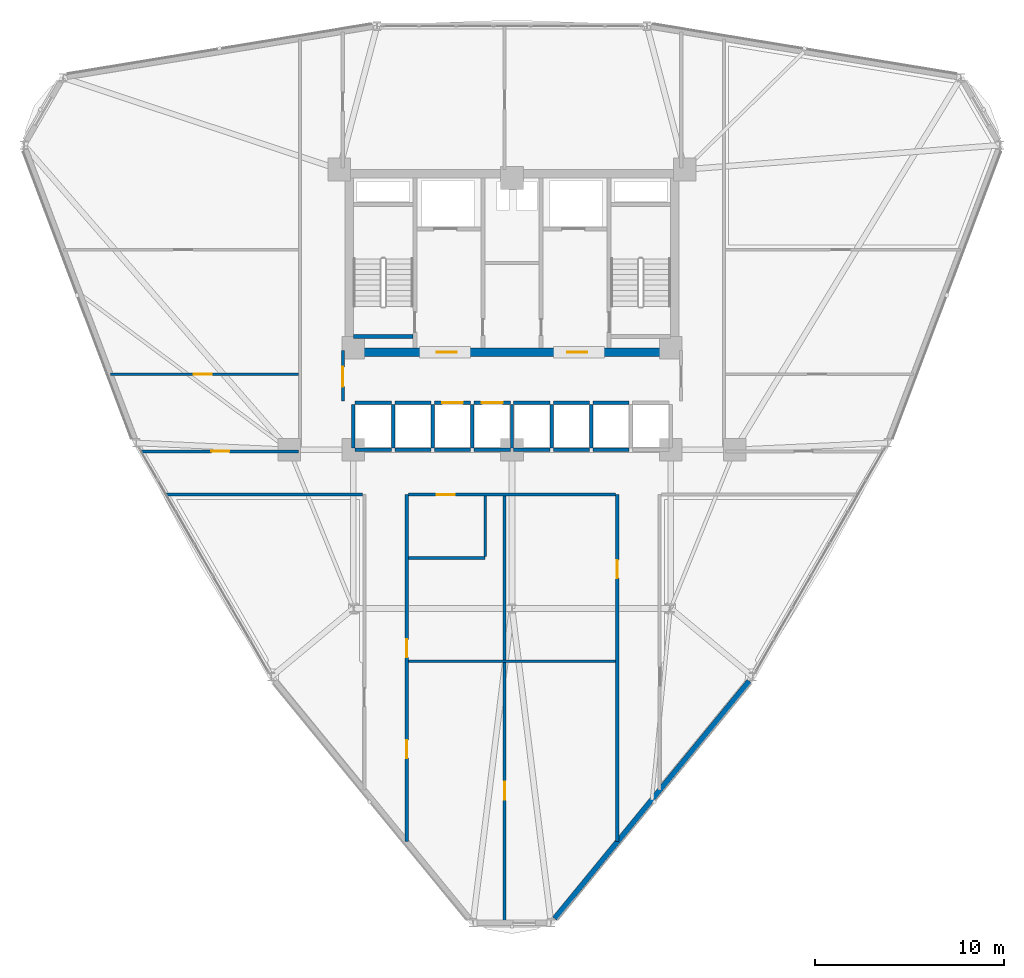
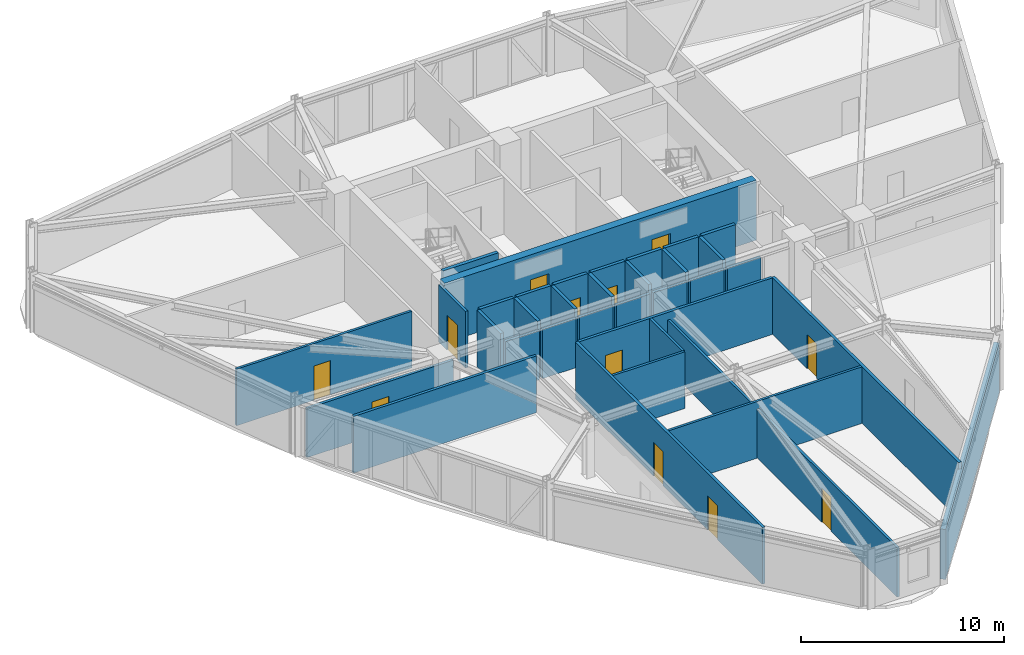
# One storey, part 12 of 17: 35 walls, 12 doors, 12 openings.
"""IFC4 building model written with IfcOpenShell, lengths in metres."""

from ifc_helpers import new_model, si_unit, derived_unit, direction, frame, frame_2d, origin, place, context, subcontext, project, spatial, rectangle, extrude, material, layer, layer_set, type_object, element, fill, save


model = new_model("IFC4")

# Units and contexts
model_context = context("Model", 3, precision=1e-05, world=origin(), true_north=direction((0.0, 1.0)))
body_context = subcontext(model_context, "Body", "Model", "MODEL_VIEW")
ifc_project = project(units=[si_unit("LENGTHUNIT", "METRE"), si_unit("AREAUNIT", "SQUARE_METRE"), si_unit("VOLUMEUNIT", "CUBIC_METRE"), si_unit("PLANEANGLEUNIT", "RADIAN"), si_unit("MASSUNIT", "GRAM", prefix="KILO"), derived_unit("THERMALTRANSMITTANCEUNIT", [(si_unit("POWERUNIT", "WATT"), 1), (si_unit("LENGTHUNIT", "METRE"), -2), (si_unit("THERMODYNAMICTEMPERATUREUNIT", "KELVIN"), -1)])], contexts=[model_context])

# Site, building, storey
site_placement = place(None, origin())
site = spatial("IfcSite", under=ifc_project, at=site_placement, CompositionType="ELEMENT")
building_placement = place(site_placement, origin())
building = spatial("IfcBuilding", under=site, at=building_placement, Name="Korsvarv Bourse and Concert Hall", CompositionType="ELEMENT")
storey_placement = place(building_placement, frame((0.0, 0.0, 102.60009765625)))
storey = spatial("IfcBuildingStorey", under=building, at=storey_placement, Name="L25", CompositionType="ELEMENT", Elevation=102.60009765625)

# Wall
ifc_material_1 = material(Name="Concrete C50/60", Category="concrete")
ifc_layer_1 = layer(ifc_material_1, 0.3798828125)
ifc_layer_set_1 = layer_set([ifc_layer_1], Name="Concrete C50/60")
wall_type_1 = type_object("IfcWallType", Name="WL-CORE-380", PredefinedType="SHEAR", material=ifc_layer_set_1)
wall_1_placement = place(storey_placement, frame((27.610107421875, 38.39990234375, 0.0), z_axis=(0.0, 0.0, 1.0), x_axis=(1.0, 0.0, 0.0)))
element("IfcWall", 1, at=wall_1_placement, inside=storey, type_object=wall_type_1, Name="L25 stair shaft structural wall W-L25-ST1-S", PredefinedType="SHEAR", context=body_context, shape_type="SweptSolid", body=[
    extrude(rectangle(XDim=3.139892578125, YDim=0.199951171875, at=frame_2d((1.56982421875, 0.0))), origin(), (0.0, 0.0, 1.0), 3.599853515625),
])

# Wall, openings, doors
ifc_material_2 = material(Name="Concrete C55/67", Category="concrete")
ifc_layer_2 = layer(ifc_material_2, 0.449951171875)
ifc_layer_set_2 = layer_set([ifc_layer_2], Name="Concrete C55/67")
wall_type_2 = type_object("IfcWallType", Name="WL-CORE-450", PredefinedType="SHEAR", material=ifc_layer_set_2)
wall_2_placement = place(storey_placement, frame((27.14990234375, 37.574951171875, 0.0), z_axis=(0.0, 0.0, 1.0), x_axis=(1.0, 0.0, 0.0)))
wall_2 = element("IfcWall", 2, at=wall_2_placement, inside=storey, type_object=wall_type_2, Name="L25 South Core Shear Wall", PredefinedType="SHEAR", context=body_context, shape_type="SweptSolid", body=[
    extrude(rectangle(XDim=17.7001953125, YDim=0.449951171875, at=frame_2d((8.85009765625, 0.0))), origin(), (0.0, 0.0, 1.0), 3.599853515625),
])
opening_1_placement = place(wall_2_placement, frame((4.875, 0.0, 0.0)))
opening_1 = element("IfcOpeningElement", 3, at=opening_1_placement, cuts=wall_2, Name="Opening D-01", PredefinedType="OPENING", context=body_context, shape_type="SweptSolid", body=[
    extrude(rectangle(XDim=1.050048828125, YDim=2.10009765625, at=frame_2d((0.52490234375, 1.050048828125))), frame((0.0, 0.23486328125, 0.0), z_axis=(0.0, -1.0, 0.0), x_axis=(1.0, 0.0, 0.0)), (0.0, 0.0, 1.0), 0.469970703125),
])
opening_2_placement = place(wall_2_placement, frame((11.77490234375, 0.0, 0.0)))
opening_2 = element("IfcOpeningElement", 4, at=opening_2_placement, cuts=wall_2, Name="Opening D-01", PredefinedType="OPENING", context=body_context, shape_type="SweptSolid", body=[
    extrude(rectangle(XDim=1.050048828125, YDim=2.10009765625, at=frame_2d((0.52490234375, 1.050048828125))), frame((0.0, 0.23486328125, 0.0), z_axis=(0.0, -1.0, 0.0), x_axis=(1.0, 0.0, 0.0)), (0.0, 0.0, 1.0), 0.469970703125),
])
ifc_material_3 = material(Name="Steel S355 fire door", Category="steel")
door_type_1 = type_object("IfcDoorType", Name="DR-FD60", OperationType="NOTDEFINED", PredefinedType="DOOR", material=ifc_material_3)
door_1_placement = place(opening_1_placement, frame((1.050048828125, 0.0, 0.0), z_axis=(0.0, 0.0, 1.0), x_axis=(-1.0, 0.0, 0.0)))
door_1 = element("IfcDoor", 5, at=door_1_placement, inside=storey, type_object=door_type_1, Name="L25 firefighting lobby fire door DR-L25-FFLW", OperationType="SINGLE_SWING_LEFT", OverallHeight=2.10009765625, OverallWidth=1.050048828125, PredefinedType="DOOR", context=body_context, shape_type="SweptSolid", body=[
    extrude(rectangle(XDim=1.050048828125, YDim=2.10009765625, at=frame_2d((0.52490234375, 1.050048828125))), frame((0.0, 0.02490234375, 0.0), z_axis=(0.0, -1.0, 0.0), x_axis=(1.0, 0.0, 0.0)), (0.0, 0.0, 1.0), 0.050048828125),
])
fill(opening_1, door_1)
door_2_placement = place(opening_2_placement, frame((1.050048828125, 0.0, 0.0), z_axis=(0.0, 0.0, 1.0), x_axis=(-1.0, 0.0, 0.0)))
door_2 = element("IfcDoor", 6, at=door_2_placement, inside=storey, type_object=door_type_1, Name="L25 firefighting lobby fire door DR-L25-FFLE", OperationType="SINGLE_SWING_RIGHT", OverallHeight=2.10009765625, OverallWidth=1.050048828125, PredefinedType="DOOR", context=body_context, shape_type="SweptSolid", body=[
    extrude(rectangle(XDim=1.050048828125, YDim=2.10009765625, at=frame_2d((0.52490234375, 1.050048828125))), frame((0.0, 0.02490234375, 0.0), z_axis=(0.0, -1.0, 0.0), x_axis=(1.0, 0.0, 0.0)), (0.0, 0.0, 1.0), 0.050048828125),
])
fill(opening_2, door_2)

# Wall
ifc_material_4 = material(Name="Precast concrete C45/55 with fluted terracotta pier", Category="concrete")
ifc_layer_3 = layer(ifc_material_4, 0.280029296875)
ifc_layer_set_3 = layer_set([ifc_layer_3], Name="Precast concrete C45/55 with fluted terracotta pier")
wall_type_3 = type_object("IfcWallType", Name="WL-EXT-TC2", PredefinedType="SOLIDWALL", material=ifc_layer_set_3)
wall_3_placement = place(storey_placement, frame((38.2587890625, 7.576416015625, 0.0), z_axis=(0.0, 0.0, 1.0), x_axis=(0.633768446385, 0.773522822137, 0.0)))
element("IfcWall", 7, at=wall_3_placement, inside=storey, type_object=wall_type_3, Name="L25 terracotta exterior wall EW-L25-B10", PredefinedType="SOLIDWALL", context=body_context, shape_type="SweptSolid", body=[
    extrude(rectangle(XDim=16.255126953125, YDim=0.280029296875, at=frame_2d((8.12744140625, 0.0))), origin(), (0.0, 0.0, 1.0), 3.0),
])

# Wall, opening, door
ifc_material_5 = material(Name="Double-stud fire-rated acoustic partition", Category="gypsum")
ifc_layer_4 = layer(ifc_material_5, 0.159912109375)
ifc_layer_set_4 = layer_set([ifc_layer_4], Name="Double-stud fire-rated acoustic partition")
wall_type_4 = type_object("IfcWallType", Name="WL-INT-EI60", PredefinedType="PARTITIONING", material=ifc_layer_set_4)
wall_4_placement = place(storey_placement, frame((27.0400390625, 35.0, 0.0), z_axis=(0.0, 0.0, 1.0), x_axis=(0.0, 1.0, 0.0)))
wall_4 = element("IfcWall", 8, at=wall_4_placement, inside=storey, type_object=wall_type_4, Name="L25 interior partition wall W-L25-LOB-W", PredefinedType="PARTITIONING", context=body_context, shape_type="SweptSolid", body=[
    extrude(rectangle(XDim=2.64990234375, YDim=0.159912109375, at=frame_2d((1.324951171875, 0.0))), origin(), (0.0, 0.0, 1.0), 3.39990234375),
])
opening_3_placement = place(wall_4_placement, frame((0.75, 0.0, 0.0)))
opening_3 = element("IfcOpeningElement", 9, at=opening_3_placement, cuts=wall_4, Name="Opening D-01", PredefinedType="OPENING", context=body_context, shape_type="SweptSolid", body=[
    extrude(rectangle(XDim=1.050048828125, YDim=2.10009765625, at=frame_2d((0.52490234375, 1.050048828125))), frame((0.0, 0.08984375, 0.0), z_axis=(0.0, -1.0, 0.0), x_axis=(1.0, 0.0, 0.0)), (0.0, 0.0, 1.0), 0.179931640625),
])
door_3_placement = place(opening_3_placement, frame((1.050048828125, 0.0, 0.0), z_axis=(0.0, 0.0, 1.0), x_axis=(-1.0, 0.0, 0.0)))
door_3 = element("IfcDoor", 10, at=door_3_placement, inside=storey, type_object=door_type_1, Name="L25 interior door DR-L25-LOBW", OperationType="SINGLE_SWING_RIGHT", OverallHeight=2.10009765625, OverallWidth=1.050048828125, PredefinedType="DOOR", context=body_context, shape_type="SweptSolid", body=[
    extrude(rectangle(XDim=1.050048828125, YDim=2.10009765625, at=frame_2d((0.52490234375, 1.050048828125))), frame((0.0, 0.02490234375, 0.0), z_axis=(0.0, -1.0, 0.0), x_axis=(1.0, 0.0, 0.0)), (0.0, 0.0, 1.0), 0.050048828125),
])
fill(opening_3, door_3)

# Wall, openings, doors
wall_5_placement = place(storey_placement, frame((30.425048828125, 11.643798828125, 0.0), z_axis=(0.0, 0.0, 1.0), x_axis=(0.0, 1.0, 0.0)))
wall_5 = element("IfcWall", 11, at=wall_5_placement, inside=storey, type_object=wall_type_4, Name="L25 interior partition wall W-L25-TCOR-03", PredefinedType="PARTITIONING", context=body_context, shape_type="SweptSolid", body=[
    extrude(rectangle(XDim=18.38623046875, YDim=0.159912109375, at=frame_2d((9.193115234375, 0.0))), origin(), (0.0, 0.0, 1.0), 3.39990234375),
])
opening_4_placement = place(wall_5_placement, frame((4.43017578125, 0.0, 0.0)))
opening_4 = element("IfcOpeningElement", 12, at=opening_4_placement, cuts=wall_5, Name="Opening D-02", PredefinedType="OPENING", context=body_context, shape_type="SweptSolid", body=[
    extrude(rectangle(XDim=0.949951171875, YDim=2.050048828125, at=frame_2d((0.47509765625, 1.02490234375))), frame((0.0, 0.08984375, 0.0), z_axis=(0.0, -1.0, 0.0), x_axis=(1.0, 0.0, 0.0)), (0.0, 0.0, 1.0), 0.179931640625),
])
opening_5_placement = place(wall_5_placement, frame((9.76611328125, 0.0, 0.0)))
opening_5 = element("IfcOpeningElement", 13, at=opening_5_placement, cuts=wall_5, Name="Opening D-02", PredefinedType="OPENING", context=body_context, shape_type="SweptSolid", body=[
    extrude(rectangle(XDim=0.949951171875, YDim=2.050048828125, at=frame_2d((0.47509765625, 1.02490234375))), frame((0.0, 0.08984375, 0.0), z_axis=(0.0, -1.0, 0.0), x_axis=(1.0, 0.0, 0.0)), (0.0, 0.0, 1.0), 0.179931640625),
])
ifc_material_6 = material(Name="Timber and steel acoustic fire door", Category="wood")
door_type_2 = type_object("IfcDoorType", Name="DR-FD30", OperationType="NOTDEFINED", PredefinedType="DOOR", material=ifc_material_6)
door_4_placement = place(opening_4_placement, origin())
door_4 = element("IfcDoor", 14, at=door_4_placement, inside=storey, type_object=door_type_2, Name="L25 interior door DR-L25-TCOR-CC57", OperationType="SINGLE_SWING_RIGHT", OverallHeight=2.050048828125, OverallWidth=0.949951171875, PredefinedType="DOOR", context=body_context, shape_type="SweptSolid", body=[
    extrude(rectangle(XDim=0.949951171875, YDim=2.050048828125, at=frame_2d((0.47509765625, 1.02490234375))), frame((0.0, 0.02490234375, 0.0), z_axis=(0.0, -1.0, 0.0), x_axis=(1.0, 0.0, 0.0)), (0.0, 0.0, 1.0), 0.050048828125),
])
fill(opening_4, door_4)
door_5_placement = place(opening_5_placement, origin())
door_5 = element("IfcDoor", 15, at=door_5_placement, inside=storey, type_object=door_type_2, Name="L25 interior door DR-L25-TCOR-CC29", OperationType="SINGLE_SWING_LEFT", OverallHeight=2.050048828125, OverallWidth=0.949951171875, PredefinedType="DOOR", context=body_context, shape_type="SweptSolid", body=[
    extrude(rectangle(XDim=0.949951171875, YDim=2.050048828125, at=frame_2d((0.47509765625, 1.02490234375))), frame((0.0, 0.02490234375, 0.0), z_axis=(0.0, -1.0, 0.0), x_axis=(1.0, 0.0, 0.0)), (0.0, 0.0, 1.0), 0.050048828125),
])
fill(opening_5, door_5)

# Wall, opening, door
wall_6_placement = place(storey_placement, frame((41.574951171875, 11.643798828125, 0.0), z_axis=(0.0, 0.0, 1.0), x_axis=(0.0, 1.0, 0.0)))
wall_6 = element("IfcWall", 16, at=wall_6_placement, inside=storey, type_object=wall_type_4, Name="L25 interior partition wall W-L25-TCOR-04", PredefinedType="PARTITIONING", context=body_context, shape_type="SweptSolid", body=[
    extrude(rectangle(XDim=18.38623046875, YDim=0.159912109375, at=frame_2d((9.193115234375, 0.0))), origin(), (0.0, 0.0, 1.0), 3.39990234375),
])
opening_6_placement = place(wall_6_placement, frame((13.96630859375, 0.0, 0.0)))
opening_6 = element("IfcOpeningElement", 17, at=opening_6_placement, cuts=wall_6, Name="Opening D-02", PredefinedType="OPENING", context=body_context, shape_type="SweptSolid", body=[
    extrude(rectangle(XDim=0.949951171875, YDim=2.050048828125, at=frame_2d((0.47509765625, 1.02490234375))), frame((0.0, 0.08984375, 0.0), z_axis=(0.0, -1.0, 0.0), x_axis=(1.0, 0.0, 0.0)), (0.0, 0.0, 1.0), 0.179931640625),
])
door_6_placement = place(opening_6_placement, origin())
door_6 = element("IfcDoor", 18, at=door_6_placement, inside=storey, type_object=door_type_2, Name="L25 interior door DR-L25-TCOR-CC310", OperationType="SINGLE_SWING_RIGHT", OverallHeight=2.050048828125, OverallWidth=0.949951171875, PredefinedType="DOOR", context=body_context, shape_type="SweptSolid", body=[
    extrude(rectangle(XDim=0.949951171875, YDim=2.050048828125, at=frame_2d((0.47509765625, 1.02490234375))), frame((0.0, 0.02490234375, 0.0), z_axis=(0.0, -1.0, 0.0), x_axis=(1.0, 0.0, 0.0)), (0.0, 0.0, 1.0), 0.050048828125),
])
fill(opening_6, door_6)

wall_7_placement = place(storey_placement, frame((30.507080078125, 30.02490234375, 0.0), z_axis=(0.0, 0.0, 1.0), x_axis=(1.0, 0.0, 0.0)))
wall_7 = element("IfcWall", 19, at=wall_7_placement, inside=storey, type_object=wall_type_4, Name="L25 interior partition wall W-L25-TCOR-07", PredefinedType="PARTITIONING", context=body_context, shape_type="SweptSolid", body=[
    extrude(rectangle(XDim=10.98583984375, YDim=0.159912109375, at=frame_2d((5.492919921875, 0.0))), origin(), (0.0, 0.0, 1.0), 3.39990234375),
])
opening_7_placement = place(wall_7_placement, frame((1.51220703125, 0.0, 0.0)))
opening_7 = element("IfcOpeningElement", 20, at=opening_7_placement, cuts=wall_7, Name="Opening D-02", PredefinedType="OPENING", context=body_context, shape_type="SweptSolid", body=[
    extrude(rectangle(XDim=0.949951171875, YDim=2.050048828125, at=frame_2d((0.47509765625, 1.02490234375))), frame((0.0, 0.08984375, 0.0), z_axis=(0.0, -1.0, 0.0), x_axis=(1.0, 0.0, 0.0)), (0.0, 0.0, 1.0), 0.179931640625),
])
door_7_placement = place(opening_7_placement, origin())
door_7 = element("IfcDoor", 21, at=door_7_placement, inside=storey, type_object=door_type_2, Name="L25 interior door DR-L25-TCOR-RWC", OperationType="SINGLE_SWING_LEFT", OverallHeight=2.050048828125, OverallWidth=0.949951171875, PredefinedType="DOOR", context=body_context, shape_type="SweptSolid", body=[
    extrude(rectangle(XDim=0.949951171875, YDim=2.050048828125, at=frame_2d((0.47509765625, 1.02490234375))), frame((0.0, 0.02490234375, 0.0), z_axis=(0.0, -1.0, 0.0), x_axis=(1.0, 0.0, 0.0)), (0.0, 0.0, 1.0), 0.050048828125),
])
fill(opening_7, door_7)

# Wall
wall_8_placement = place(storey_placement, frame((17.701904296875, 30.02490234375, 0.0), z_axis=(0.0, 0.0, 1.0), x_axis=(1.0, 0.0, 0.0)))
element("IfcWall", 22, at=wall_8_placement, inside=storey, type_object=wall_type_4, Name="L25 interior partition wall W-L25-TCOR-08", PredefinedType="PARTITIONING", context=body_context, shape_type="SweptSolid", body=[
    extrude(rectangle(XDim=10.39111328125, YDim=0.159912109375, at=frame_2d((5.195556640625, 0.0))), origin(), (0.0, 0.0, 1.0), 3.39990234375),
])

# Wall, opening, door
wall_9_placement = place(storey_placement, frame((16.379638671875, 32.31494140625, 0.0), z_axis=(0.0, 0.0, 1.0), x_axis=(1.0, 0.0, 0.0)))
wall_9 = element("IfcWall", 23, at=wall_9_placement, inside=storey, type_object=wall_type_4, Name="L25 interior partition wall W-L25-TCOR-10", PredefinedType="PARTITIONING", context=body_context, shape_type="SweptSolid", body=[
    extrude(rectangle(XDim=8.3134765625, YDim=0.159912109375, at=frame_2d((4.15673828125, 0.0))), origin(), (0.0, 0.0, 1.0), 2.949951171875),
])
opening_8_placement = place(wall_9_placement, frame((3.69580078125, 0.0, 0.0)))
opening_8 = element("IfcOpeningElement", 24, at=opening_8_placement, cuts=wall_9, Name="Opening D-02", PredefinedType="OPENING", context=body_context, shape_type="SweptSolid", body=[
    extrude(rectangle(XDim=0.949951171875, YDim=2.050048828125, at=frame_2d((0.47509765625, 1.02490234375))), frame((0.0, 0.08984375, 0.0), z_axis=(0.0, -1.0, 0.0), x_axis=(1.0, 0.0, 0.0)), (0.0, 0.0, 1.0), 0.179931640625),
])
door_8_placement = place(opening_8_placement, origin())
door_8 = element("IfcDoor", 25, at=door_8_placement, inside=storey, type_object=door_type_2, Name="L25 interior door DR-L25-TCOR-CC612", OperationType="SINGLE_SWING_RIGHT", OverallHeight=2.050048828125, OverallWidth=0.949951171875, PredefinedType="DOOR", context=body_context, shape_type="SweptSolid", body=[
    extrude(rectangle(XDim=0.949951171875, YDim=2.050048828125, at=frame_2d((0.47509765625, 1.02490234375))), frame((0.0, 0.02490234375, 0.0), z_axis=(0.0, -1.0, 0.0), x_axis=(1.0, 0.0, 0.0)), (0.0, 0.0, 1.0), 0.050048828125),
])
fill(opening_8, door_8)

# Walls
ifc_material_7 = material(Name="Gypsum-clad autoclaved concrete shaft wall C30/37", Category="concrete")
ifc_layer_5 = layer(ifc_material_7, 0.179931640625)
ifc_layer_set_5 = layer_set([ifc_layer_5], Name="Gypsum-clad autoclaved concrete shaft wall C30/37")
wall_type_5 = type_object("IfcWallType", Name="WL-INT-EI90", PredefinedType="PARTITIONING", material=ifc_layer_set_5)
wall_10_placement = place(storey_placement, frame((27.68994140625, 34.89990234375, 0.0), z_axis=(0.0, 0.0, 1.0), x_axis=(1.0, 0.0, 0.0)))
element("IfcWall", 26, at=wall_10_placement, inside=storey, type_object=wall_type_5, Name="L25 interior partition wall W-L25-SHFN-PL1", PredefinedType="PARTITIONING", context=body_context, shape_type="SweptSolid", body=[
    extrude(rectangle(XDim=1.920166015625, YDim=0.179931640625, at=frame_2d((0.9599609375, 0.0))), origin(), (0.0, 0.0, 1.0), 3.39990234375),
])
wall_11_placement = place(storey_placement, frame((27.68994140625, 32.39990234375, 0.0), z_axis=(0.0, 0.0, 1.0), x_axis=(1.0, 0.0, 0.0)))
element("IfcWall", 27, at=wall_11_placement, inside=storey, type_object=wall_type_5, Name="L25 interior partition wall W-L25-SHFS-PL1", PredefinedType="PARTITIONING", context=body_context, shape_type="SweptSolid", body=[
    extrude(rectangle(XDim=1.920166015625, YDim=0.179931640625, at=frame_2d((0.9599609375, 0.0))), origin(), (0.0, 0.0, 1.0), 2.949951171875),
])
wall_12_placement = place(storey_placement, frame((27.60009765625, 32.489990234375, 0.0), z_axis=(0.0, 0.0, 1.0), x_axis=(0.0, 1.0, 0.0)))
element("IfcWall", 28, at=wall_12_placement, inside=storey, type_object=wall_type_5, Name="L25 interior partition wall W-L25-SHFW-PL1", PredefinedType="PARTITIONING", context=body_context, shape_type="SweptSolid", body=[
    extrude(rectangle(XDim=2.320068359375, YDim=0.179931640625, at=frame_2d((1.16015625, 0.0))), origin(), (0.0, 0.0, 1.0), 3.39990234375),
])
wall_13_placement = place(storey_placement, frame((29.7900390625, 34.89990234375, 0.0), z_axis=(0.0, 0.0, 1.0), x_axis=(1.0, 0.0, 0.0)))
element("IfcWall", 29, at=wall_13_placement, inside=storey, type_object=wall_type_5, Name="L25 interior partition wall W-L25-SHFN-PL2", PredefinedType="PARTITIONING", context=body_context, shape_type="SweptSolid", body=[
    extrude(rectangle(XDim=1.919921875, YDim=0.179931640625, at=frame_2d((0.9599609375, 0.0))), origin(), (0.0, 0.0, 1.0), 3.39990234375),
])
wall_14_placement = place(storey_placement, frame((29.7900390625, 32.39990234375, 0.0), z_axis=(0.0, 0.0, 1.0), x_axis=(1.0, 0.0, 0.0)))
element("IfcWall", 30, at=wall_14_placement, inside=storey, type_object=wall_type_5, Name="L25 interior partition wall W-L25-SHFS-PL2", PredefinedType="PARTITIONING", context=body_context, shape_type="SweptSolid", body=[
    extrude(rectangle(XDim=1.919921875, YDim=0.179931640625, at=frame_2d((0.9599609375, 0.0))), origin(), (0.0, 0.0, 1.0), 2.949951171875),
])
wall_15_placement = place(storey_placement, frame((29.699951171875, 32.489990234375, 0.0), z_axis=(0.0, 0.0, 1.0), x_axis=(0.0, 1.0, 0.0)))
element("IfcWall", 31, at=wall_15_placement, inside=storey, type_object=wall_type_5, Name="L25 interior partition wall W-L25-SHFW-PL2", PredefinedType="PARTITIONING", context=body_context, shape_type="SweptSolid", body=[
    extrude(rectangle(XDim=2.320068359375, YDim=0.179931640625, at=frame_2d((1.16015625, 0.0))), origin(), (0.0, 0.0, 1.0), 3.39990234375),
])

# Wall, opening, door
wall_16_placement = place(storey_placement, frame((31.889892578125, 34.89990234375, 0.0), z_axis=(0.0, 0.0, 1.0), x_axis=(1.0, 0.0, 0.0)))
wall_16 = element("IfcWall", 32, at=wall_16_placement, inside=storey, type_object=wall_type_5, Name="L25 interior partition wall W-L25-SHFN-PM1", PredefinedType="PARTITIONING", context=body_context, shape_type="SweptSolid", body=[
    extrude(rectangle(XDim=1.920166015625, YDim=0.179931640625, at=frame_2d((0.9599609375, 0.0))), origin(), (0.0, 0.0, 1.0), 3.39990234375),
])
opening_9_placement = place(wall_16_placement, frame((0.409912109375, 0.0, 0.0)))
opening_9 = element("IfcOpeningElement", 33, at=opening_9_placement, cuts=wall_16, Name="Opening LD-2", PredefinedType="OPENING", context=body_context, shape_type="SweptSolid", body=[
    extrude(rectangle(XDim=1.10009765625, YDim=2.10009765625, at=frame_2d((0.550048828125, 1.050048828125))), frame((0.0, 0.10009765625, 0.0), z_axis=(0.0, -1.0, 0.0), x_axis=(1.0, 0.0, 0.0)), (0.0, 0.0, 1.0), 0.199951171875),
])
ifc_material_8 = material(Name="Brushed stainless Steel S355 lift landing door", Category="steel")
door_type_3 = type_object("IfcDoorType", Name="DR-LIFT-P", OperationType="DOUBLE_DOOR_SLIDING", PredefinedType="DOOR", material=ifc_material_8)
door_9_placement = place(opening_9_placement, origin())
door_9 = element("IfcDoor", 34, at=door_9_placement, inside=storey, type_object=door_type_3, Name="L25 lift sliding landing door LD-L25-PM1", OperationType="DOUBLE_DOOR_SLIDING", OverallHeight=2.10009765625, OverallWidth=1.10009765625, PredefinedType="DOOR", context=body_context, shape_type="SweptSolid", body=[
    extrude(rectangle(XDim=1.10009765625, YDim=2.10009765625, at=frame_2d((0.550048828125, 1.050048828125))), frame((0.0, 0.02490234375, 0.0), z_axis=(0.0, -1.0, 0.0), x_axis=(1.0, 0.0, 0.0)), (0.0, 0.0, 1.0), 0.050048828125),
])
fill(opening_9, door_9)

# Walls
wall_17_placement = place(storey_placement, frame((31.889892578125, 32.39990234375, 0.0), z_axis=(0.0, 0.0, 1.0), x_axis=(1.0, 0.0, 0.0)))
element("IfcWall", 35, at=wall_17_placement, inside=storey, type_object=wall_type_5, Name="L25 interior partition wall W-L25-SHFS-PM1", PredefinedType="PARTITIONING", context=body_context, shape_type="SweptSolid", body=[
    extrude(rectangle(XDim=1.920166015625, YDim=0.179931640625, at=frame_2d((0.9599609375, 0.0))), origin(), (0.0, 0.0, 1.0), 2.949951171875),
])
wall_18_placement = place(storey_placement, frame((31.800048828125, 32.489990234375, 0.0), z_axis=(0.0, 0.0, 1.0), x_axis=(0.0, 1.0, 0.0)))
element("IfcWall", 36, at=wall_18_placement, inside=storey, type_object=wall_type_5, Name="L25 interior partition wall W-L25-SHFW-PM1", PredefinedType="PARTITIONING", context=body_context, shape_type="SweptSolid", body=[
    extrude(rectangle(XDim=2.320068359375, YDim=0.179931640625, at=frame_2d((1.16015625, 0.0))), origin(), (0.0, 0.0, 1.0), 3.39990234375),
])

# Wall, opening, door
wall_19_placement = place(storey_placement, frame((33.989990234375, 34.89990234375, 0.0), z_axis=(0.0, 0.0, 1.0), x_axis=(1.0, 0.0, 0.0)))
wall_19 = element("IfcWall", 37, at=wall_19_placement, inside=storey, type_object=wall_type_5, Name="L25 interior partition wall W-L25-SHFN-PM2", PredefinedType="PARTITIONING", context=body_context, shape_type="SweptSolid", body=[
    extrude(rectangle(XDim=1.919921875, YDim=0.179931640625, at=frame_2d((0.9599609375, 0.0))), origin(), (0.0, 0.0, 1.0), 3.39990234375),
])
opening_10_placement = place(wall_19_placement, frame((0.409912109375, 0.0, 0.0)))
opening_10 = element("IfcOpeningElement", 38, at=opening_10_placement, cuts=wall_19, Name="Opening LD-2", PredefinedType="OPENING", context=body_context, shape_type="SweptSolid", body=[
    extrude(rectangle(XDim=1.10009765625, YDim=2.10009765625, at=frame_2d((0.550048828125, 1.050048828125))), frame((0.0, 0.10009765625, 0.0), z_axis=(0.0, -1.0, 0.0), x_axis=(1.0, 0.0, 0.0)), (0.0, 0.0, 1.0), 0.199951171875),
])
door_10_placement = place(opening_10_placement, origin())
door_10 = element("IfcDoor", 39, at=door_10_placement, inside=storey, type_object=door_type_3, Name="L25 lift sliding landing door LD-L25-PM2", OperationType="DOUBLE_DOOR_SLIDING", OverallHeight=2.10009765625, OverallWidth=1.10009765625, PredefinedType="DOOR", context=body_context, shape_type="SweptSolid", body=[
    extrude(rectangle(XDim=1.10009765625, YDim=2.10009765625, at=frame_2d((0.550048828125, 1.050048828125))), frame((0.0, 0.02490234375, 0.0), z_axis=(0.0, -1.0, 0.0), x_axis=(1.0, 0.0, 0.0)), (0.0, 0.0, 1.0), 0.050048828125),
])
fill(opening_10, door_10)

# Walls
wall_20_placement = place(storey_placement, frame((33.989990234375, 32.39990234375, 0.0), z_axis=(0.0, 0.0, 1.0), x_axis=(1.0, 0.0, 0.0)))
element("IfcWall", 40, at=wall_20_placement, inside=storey, type_object=wall_type_5, Name="L25 interior partition wall W-L25-SHFS-PM2", PredefinedType="PARTITIONING", context=body_context, shape_type="SweptSolid", body=[
    extrude(rectangle(XDim=1.919921875, YDim=0.179931640625, at=frame_2d((0.9599609375, 0.0))), origin(), (0.0, 0.0, 1.0), 2.949951171875),
])
wall_21_placement = place(storey_placement, frame((33.89990234375, 32.489990234375, 0.0), z_axis=(0.0, 0.0, 1.0), x_axis=(0.0, 1.0, 0.0)))
element("IfcWall", 41, at=wall_21_placement, inside=storey, type_object=wall_type_5, Name="L25 interior partition wall W-L25-SHFW-PM2", PredefinedType="PARTITIONING", context=body_context, shape_type="SweptSolid", body=[
    extrude(rectangle(XDim=2.320068359375, YDim=0.179931640625, at=frame_2d((1.16015625, 0.0))), origin(), (0.0, 0.0, 1.0), 3.39990234375),
])
wall_22_placement = place(storey_placement, frame((36.090087890625, 34.89990234375, 0.0), z_axis=(0.0, 0.0, 1.0), x_axis=(1.0, 0.0, 0.0)))
element("IfcWall", 42, at=wall_22_placement, inside=storey, type_object=wall_type_5, Name="L25 interior partition wall W-L25-SHFN-PH1", PredefinedType="PARTITIONING", context=body_context, shape_type="SweptSolid", body=[
    extrude(rectangle(XDim=1.919921875, YDim=0.179931640625, at=frame_2d((0.9599609375, 0.0))), origin(), (0.0, 0.0, 1.0), 3.39990234375),
])
wall_23_placement = place(storey_placement, frame((36.090087890625, 32.39990234375, 0.0), z_axis=(0.0, 0.0, 1.0), x_axis=(1.0, 0.0, 0.0)))
element("IfcWall", 43, at=wall_23_placement, inside=storey, type_object=wall_type_5, Name="L25 interior partition wall W-L25-SHFS-PH1", PredefinedType="PARTITIONING", context=body_context, shape_type="SweptSolid", body=[
    extrude(rectangle(XDim=1.919921875, YDim=0.179931640625, at=frame_2d((0.9599609375, 0.0))), origin(), (0.0, 0.0, 1.0), 2.949951171875),
])
wall_24_placement = place(storey_placement, frame((36.0, 32.489990234375, 0.0), z_axis=(0.0, 0.0, 1.0), x_axis=(0.0, 1.0, 0.0)))
element("IfcWall", 44, at=wall_24_placement, inside=storey, type_object=wall_type_5, Name="L25 interior partition wall W-L25-SHFW-PH1", PredefinedType="PARTITIONING", context=body_context, shape_type="SweptSolid", body=[
    extrude(rectangle(XDim=2.320068359375, YDim=0.179931640625, at=frame_2d((1.16015625, 0.0))), origin(), (0.0, 0.0, 1.0), 3.39990234375),
])
wall_25_placement = place(storey_placement, frame((38.18994140625, 34.89990234375, 0.0), z_axis=(0.0, 0.0, 1.0), x_axis=(1.0, 0.0, 0.0)))
element("IfcWall", 45, at=wall_25_placement, inside=storey, type_object=wall_type_5, Name="L25 interior partition wall W-L25-SHFN-PH2", PredefinedType="PARTITIONING", context=body_context, shape_type="SweptSolid", body=[
    extrude(rectangle(XDim=1.920166015625, YDim=0.179931640625, at=frame_2d((0.9599609375, 0.0))), origin(), (0.0, 0.0, 1.0), 3.39990234375),
])
wall_26_placement = place(storey_placement, frame((38.18994140625, 32.39990234375, 0.0), z_axis=(0.0, 0.0, 1.0), x_axis=(1.0, 0.0, 0.0)))
element("IfcWall", 46, at=wall_26_placement, inside=storey, type_object=wall_type_5, Name="L25 interior partition wall W-L25-SHFS-PH2", PredefinedType="PARTITIONING", context=body_context, shape_type="SweptSolid", body=[
    extrude(rectangle(XDim=1.920166015625, YDim=0.179931640625, at=frame_2d((0.9599609375, 0.0))), origin(), (0.0, 0.0, 1.0), 2.949951171875),
])
wall_27_placement = place(storey_placement, frame((38.10009765625, 32.489990234375, 0.0), z_axis=(0.0, 0.0, 1.0), x_axis=(0.0, 1.0, 0.0)))
element("IfcWall", 47, at=wall_27_placement, inside=storey, type_object=wall_type_5, Name="L25 interior partition wall W-L25-SHFW-PH2", PredefinedType="PARTITIONING", context=body_context, shape_type="SweptSolid", body=[
    extrude(rectangle(XDim=2.320068359375, YDim=0.179931640625, at=frame_2d((1.16015625, 0.0))), origin(), (0.0, 0.0, 1.0), 3.39990234375),
])
wall_28_placement = place(storey_placement, frame((40.2900390625, 34.89990234375, 0.0), z_axis=(0.0, 0.0, 1.0), x_axis=(1.0, 0.0, 0.0)))
element("IfcWall", 48, at=wall_28_placement, inside=storey, type_object=wall_type_5, Name="L25 interior partition wall W-L25-SHFN-PO1", PredefinedType="PARTITIONING", context=body_context, shape_type="SweptSolid", body=[
    extrude(rectangle(XDim=1.919921875, YDim=0.179931640625, at=frame_2d((0.9599609375, 0.0))), origin(), (0.0, 0.0, 1.0), 3.39990234375),
])
wall_29_placement = place(storey_placement, frame((40.2900390625, 32.39990234375, 0.0), z_axis=(0.0, 0.0, 1.0), x_axis=(1.0, 0.0, 0.0)))
element("IfcWall", 49, at=wall_29_placement, inside=storey, type_object=wall_type_5, Name="L25 interior partition wall W-L25-SHFS-PO1", PredefinedType="PARTITIONING", context=body_context, shape_type="SweptSolid", body=[
    extrude(rectangle(XDim=1.919921875, YDim=0.179931640625, at=frame_2d((0.9599609375, 0.0))), origin(), (0.0, 0.0, 1.0), 2.949951171875),
])
wall_30_placement = place(storey_placement, frame((40.199951171875, 32.489990234375, 0.0), z_axis=(0.0, 0.0, 1.0), x_axis=(0.0, 1.0, 0.0)))
element("IfcWall", 50, at=wall_30_placement, inside=storey, type_object=wall_type_5, Name="L25 interior partition wall W-L25-SHFW-PO1", PredefinedType="PARTITIONING", context=body_context, shape_type="SweptSolid", body=[
    extrude(rectangle(XDim=2.320068359375, YDim=0.179931640625, at=frame_2d((1.16015625, 0.0))), origin(), (0.0, 0.0, 1.0), 3.39990234375),
])

# Wall, opening, door
ifc_material_9 = material(Name="Insulated steel-stud office acoustic partition", Category="gypsum")
ifc_layer_6 = layer(ifc_material_9, 0.139892578125)
ifc_layer_set_6 = layer_set([ifc_layer_6], Name="Insulated steel-stud office acoustic partition")
wall_type_6 = type_object("IfcWallType", Name="WL-INT-P1", PredefinedType="PARTITIONING", material=ifc_layer_set_6)
wall_31_placement = place(storey_placement, frame((35.60498046875, 7.36376953125, 0.0), z_axis=(0.0, 0.0, 1.0), x_axis=(0.0, 1.0, 0.0)))
wall_31 = element("IfcWall", 51, at=wall_31_placement, inside=storey, type_object=wall_type_6, Name="L25 interior partition wall W-L25-TCOR-14", PredefinedType="PARTITIONING", context=body_context, shape_type="SweptSolid", body=[
    extrude(rectangle(XDim=22.579345703125, YDim=0.139892578125, at=frame_2d((11.28955078125, 0.0))), origin(), (0.0, 0.0, 1.0), 2.949951171875),
])
opening_11_placement = place(wall_31_placement, frame((6.498046875, 0.0, 0.0)))
opening_11 = element("IfcOpeningElement", 52, at=opening_11_placement, cuts=wall_31, Name="Opening D-03", PredefinedType="OPENING", context=body_context, shape_type="SweptSolid", body=[
    extrude(rectangle(XDim=0.949951171875, YDim=2.050048828125, at=frame_2d((0.47509765625, 1.02490234375))), frame((0.0, 0.080078125, 0.0), z_axis=(0.0, -1.0, 0.0), x_axis=(1.0, 0.0, 0.0)), (0.0, 0.0, 1.0), 0.159912109375),
])
ifc_material_10 = material(Name="Nordic oak acoustic office door", Category="wood")
door_type_4 = type_object("IfcDoorType", Name="DR-INT-1", OperationType="NOTDEFINED", PredefinedType="DOOR", material=ifc_material_10)
door_11_placement = place(opening_11_placement, origin())
door_11 = element("IfcDoor", 53, at=door_11_placement, inside=storey, type_object=door_type_4, Name="L25 interior door DR-L25-TCOR-RM88", OperationType="SINGLE_SWING_LEFT", OverallHeight=2.050048828125, OverallWidth=0.949951171875, PredefinedType="DOOR", context=body_context, shape_type="SweptSolid", body=[
    extrude(rectangle(XDim=0.949951171875, YDim=2.050048828125, at=frame_2d((0.47509765625, 1.02490234375))), frame((0.0, 0.02490234375, 0.0), z_axis=(0.0, -1.0, 0.0), x_axis=(1.0, 0.0, 0.0)), (0.0, 0.0, 1.0), 0.050048828125),
])
fill(opening_11, door_11)

# Wall
wall_32_placement = place(storey_placement, frame((30.507080078125, 21.205078125, 0.0), z_axis=(0.0, 0.0, 1.0), x_axis=(1.0, 0.0, 0.0)))
element("IfcWall", 54, at=wall_32_placement, inside=storey, type_object=wall_type_6, Name="L25 interior partition wall W-L25-TCOR-17", PredefinedType="PARTITIONING", context=body_context, shape_type="SweptSolid", body=[
    extrude(rectangle(XDim=10.98583984375, YDim=0.139892578125, at=frame_2d((5.492919921875, 0.0))), origin(), (0.0, 0.0, 1.0), 3.39990234375),
])

# Wall, opening, door
wall_33_placement = place(storey_placement, frame((14.746337890625, 36.405029296875, 0.0), z_axis=(0.0, 0.0, 1.0), x_axis=(1.0, 0.0, 0.0)))
wall_33 = element("IfcWall", 55, at=wall_33_placement, inside=storey, type_object=wall_type_6, Name="L25 interior partition wall W-L25-TCOR-19", PredefinedType="PARTITIONING", context=body_context, shape_type="SweptSolid", body=[
    extrude(rectangle(XDim=9.94677734375, YDim=0.139892578125, at=frame_2d((4.973388671875, 0.0))), origin(), (0.0, 0.0, 1.0), 3.39990234375),
])
opening_12_placement = place(wall_33_placement, frame((4.39111328125, 0.0, 0.0)))
opening_12 = element("IfcOpeningElement", 56, at=opening_12_placement, cuts=wall_33, Name="Opening D-03", PredefinedType="OPENING", context=body_context, shape_type="SweptSolid", body=[
    extrude(rectangle(XDim=0.949951171875, YDim=2.050048828125, at=frame_2d((0.47509765625, 1.02490234375))), frame((0.0, 0.080078125, 0.0), z_axis=(0.0, -1.0, 0.0), x_axis=(1.0, 0.0, 0.0)), (0.0, 0.0, 1.0), 0.159912109375),
])
door_12_placement = place(opening_12_placement, origin())
door_12 = element("IfcDoor", 57, at=door_12_placement, inside=storey, type_object=door_type_4, Name="L25 interior door DR-L25-TCOR-CC713", OperationType="SINGLE_SWING_LEFT", OverallHeight=2.050048828125, OverallWidth=0.949951171875, PredefinedType="DOOR", context=body_context, shape_type="SweptSolid", body=[
    extrude(rectangle(XDim=0.949951171875, YDim=2.050048828125, at=frame_2d((0.47509765625, 1.02490234375))), frame((0.0, 0.02490234375, 0.0), z_axis=(0.0, -1.0, 0.0), x_axis=(1.0, 0.0, 0.0)), (0.0, 0.0, 1.0), 0.050048828125),
])
fill(opening_12, door_12)

# Walls
wall_34_placement = place(storey_placement, frame((30.507080078125, 26.675048828125, 0.0), z_axis=(0.0, 0.0, 1.0), x_axis=(1.0, 0.0, 0.0)))
element("IfcWall", 58, at=wall_34_placement, inside=storey, type_object=wall_type_6, Name="L25 interior partition wall W-L25-TCOR-21", PredefinedType="PARTITIONING", context=body_context, shape_type="SweptSolid", body=[
    extrude(rectangle(XDim=4.072998046875, YDim=0.139892578125, at=frame_2d((2.03662109375, 0.0))), origin(), (0.0, 0.0, 1.0), 3.39990234375),
])
wall_35_placement = place(storey_placement, frame((34.574951171875, 26.7470703125, 0.0), z_axis=(0.0, 0.0, 1.0), x_axis=(0.0, 1.0, 0.0)))
element("IfcWall", 59, at=wall_35_placement, inside=storey, type_object=wall_type_6, Name="L25 interior partition wall W-L25-TCOR-22", PredefinedType="PARTITIONING", context=body_context, shape_type="SweptSolid", body=[
    extrude(rectangle(XDim=3.196044921875, YDim=0.139892578125, at=frame_2d((1.59814453125, 0.0))), origin(), (0.0, 0.0, 1.0), 3.39990234375),
])

save(model, "model.ifc")
